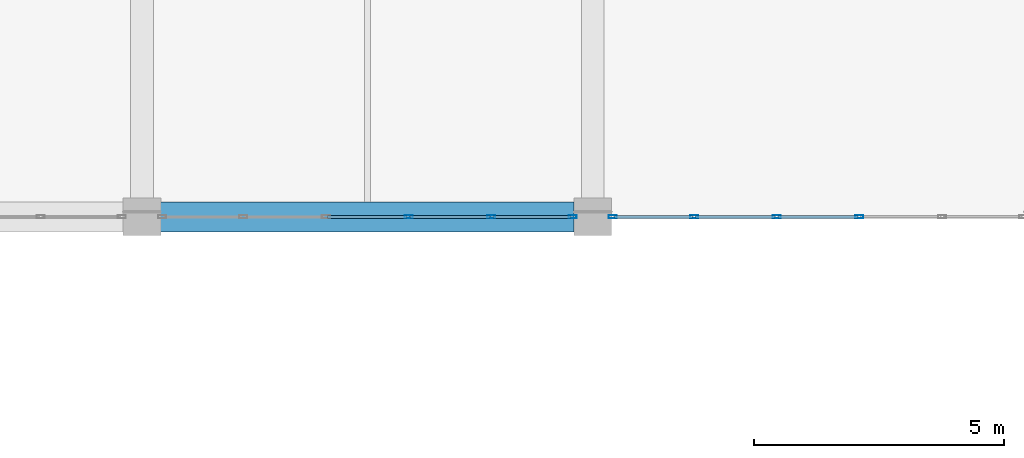
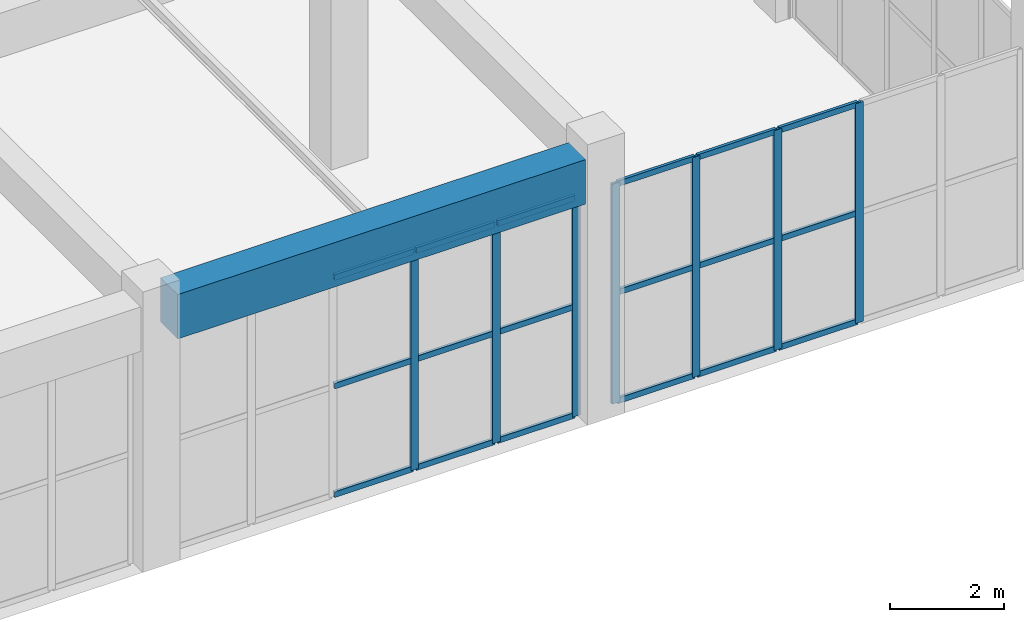
# One storey, part 101 of 223: 25 members, 1 beam, 2 elements without a shape of their own.
"""IFC4 building model written with IfcOpenShell, lengths in metres."""

from ifc_helpers import new_model, si_unit, direction, frame, origin, origin_2d, place, context, subcontext, project, spatial, rectangle, hollow_rectangle, extrude, material, layer, layer_set, material_profile, profile_set, type_object, element, aggregate, save


model = new_model("IFC4")

# Units and contexts
model_context = context("Model", 3, precision=1e-05, world=origin(), true_north=direction((0.0, 1.0)))
body_context = subcontext(model_context, "Body", "Model", "MODEL_VIEW")
ifc_project = project(units=[si_unit("LENGTHUNIT", "METRE"), si_unit("AREAUNIT", "SQUARE_METRE"), si_unit("VOLUMEUNIT", "CUBIC_METRE"), si_unit("PLANEANGLEUNIT", "RADIAN"), si_unit("MASSUNIT", "GRAM", prefix="KILO")], contexts=[model_context])

# Site, building, storey
site_placement = place(None, origin())
site = spatial("IfcSite", under=ifc_project, at=site_placement, CompositionType="ELEMENT")
building_placement = place(site_placement, origin())
building = spatial("IfcBuilding", under=site, at=building_placement, Name="Dornveld Trade and Exhibition Forum", CompositionType="ELEMENT")
storey_placement = place(building_placement, frame((0.0, 0.0, 6.0)))
storey = spatial("IfcBuildingStorey", under=building, at=storey_placement, Name="L01", CompositionType="ELEMENT", Elevation=6.0)

# Beam
ifc_material_1 = material(Name="Precast concrete C50/60", Category="concrete")
ifc_material_profile_1 = material_profile(ifc_material_1, rectangle(XDim=0.60009765625, YDim=0.949951171875, at=origin_2d()), Name="PC-GIR 600x950")
ifc_profile_set_1 = profile_set([ifc_material_profile_1], Name="Precast concrete C50/60")
beam_type = type_object("IfcBeamType", Name="BM-PC-600x950", PredefinedType="T_BEAM", material=ifc_profile_set_1)
beam_placement = place(storey_placement, frame((198.37109375, 108.0, 5.1650390625), z_axis=(1.0, 0.0, 0.0), x_axis=(0.0, 1.0, 0.0)))
element("IfcBeam", 1, at=beam_placement, inside=storey, type_object=beam_type, Name="L01 X-girder 1337", PredefinedType="T_BEAM", context=body_context, shape_type="SweptSolid", body=[
    extrude(rectangle(XDim=0.60009765625, YDim=0.949951171875, at=origin_2d()), origin(), (0.0, 0.0, 1.0), 8.2578125),
])

# Curtain wall, members
ifc_material_2 = material(Name="Dark-bronze anodised aluminium and low-E glass", Category="aluminium")
ifc_layer_1 = layer(ifc_material_2, 0.193115234375)
ifc_layer_set_1 = layer_set([ifc_layer_1], Name="Dark-bronze anodised aluminium and low-E glass")
curtain_wall_type_1 = type_object("IfcCurtainWallType", Name="CW-SYS-17", PredefinedType="USERDEFINED", material=ifc_layer_set_1)
curtain_wall_1_placement = place(storey_placement, origin())
curtain_wall_1 = element("IfcCurtainWall", 2, at=curtain_wall_1_placement, inside=storey, type_object=curtain_wall_type_1, Name="L01 unitised curtain wall 107", ObjectType="UNITISED_CURTAIN_WALL", PredefinedType="USERDEFINED")
ifc_material_3 = material(Name="Dark-bronze anodised aluminium", Category="aluminium")
ifc_material_profile_2 = material_profile(ifc_material_3, hollow_rectangle(XDim=0.06005859375, YDim=0.159912109375, WallThickness=0.00390625, at=origin_2d()), Name="RHS 160x60x4")
ifc_profile_set_2 = profile_set([ifc_material_profile_2], Name="Dark-bronze anodised aluminium")
member_type_1 = type_object("IfcMemberType", Name="CW-MUL-160", PredefinedType="MULLION", material=ifc_profile_set_2)
member_1_placement = place(storey_placement, frame((203.32568359375, 108.0, -0.00390625), z_axis=(0.0, 0.0, 1.0), x_axis=(0.0, 1.0, 0.0)))
member_1 = element("IfcMember", 3, at=member_1_placement, type_object=member_type_1, Name="CW-17 mullion 4", PredefinedType="MULLION", context=body_context, shape_type="SweptSolid", body=[
    extrude(hollow_rectangle(XDim=0.06005859375, YDim=0.159912109375, WallThickness=0.00390625, at=origin_2d()), origin(), (0.0, 0.0, 1.0), 4.703857421875),
])
member_2_placement = place(storey_placement, frame((204.977294921875, 108.0, -0.00390625), z_axis=(0.0, 0.0, 1.0), x_axis=(0.0, 1.0, 0.0)))
member_2 = element("IfcMember", 4, at=member_2_placement, type_object=member_type_1, Name="CW-17 mullion 5", PredefinedType="MULLION", context=body_context, shape_type="SweptSolid", body=[
    extrude(hollow_rectangle(XDim=0.06005859375, YDim=0.159912109375, WallThickness=0.00390625, at=origin_2d()), origin(), (0.0, 0.0, 1.0), 4.703857421875),
])
member_3_placement = place(storey_placement, frame((206.59912109375, 108.0, -0.00390625), z_axis=(0.0, 0.0, 1.0), x_axis=(0.0, 1.0, 0.0)))
member_3 = element("IfcMember", 5, at=member_3_placement, type_object=member_type_1, Name="CW-17 mullion 6", PredefinedType="MULLION", context=body_context, shape_type="SweptSolid", body=[
    extrude(hollow_rectangle(XDim=0.06005859375, YDim=0.159912109375, WallThickness=0.00390625, at=origin_2d()), origin(), (0.0, 0.0, 1.0), 4.703857421875),
])

ifc_material_4 = material(Name="Dark-bronze anodised aluminium and low-E glass", Category="aluminium")
ifc_layer_2 = layer(ifc_material_4, 0.196044921875)
ifc_layer_set_2 = layer_set([ifc_layer_2], Name="Dark-bronze anodised aluminium and low-E glass")
curtain_wall_type_2 = type_object("IfcCurtainWallType", Name="CW-SYS-18", PredefinedType="USERDEFINED", material=ifc_layer_set_2)
curtain_wall_2_placement = place(storey_placement, origin())
curtain_wall_2 = element("IfcCurtainWall", 6, at=curtain_wall_2_placement, inside=storey, type_object=curtain_wall_type_2, Name="L01 unitised curtain wall 108", ObjectType="UNITISED_CURTAIN_WALL", PredefinedType="USERDEFINED")
member_4_placement = place(storey_placement, frame((207.40087890625, 108.0, -0.00390625), z_axis=(0.0, 0.0, 1.0), x_axis=(0.0, 1.0, 0.0)))
member_4 = element("IfcMember", 7, at=member_4_placement, type_object=member_type_1, Name="CW-18 mullion 1", PredefinedType="MULLION", context=body_context, shape_type="SweptSolid", body=[
    extrude(hollow_rectangle(XDim=0.06005859375, YDim=0.159912109375, WallThickness=0.00390625, at=origin_2d()), origin(), (0.0, 0.0, 1.0), 4.703857421875),
])
member_5_placement = place(storey_placement, frame((209.022705078125, 108.0, -0.00390625), z_axis=(0.0, 0.0, 1.0), x_axis=(0.0, 1.0, 0.0)))
member_5 = element("IfcMember", 8, at=member_5_placement, type_object=member_type_1, Name="CW-18 mullion 2", PredefinedType="MULLION", context=body_context, shape_type="SweptSolid", body=[
    extrude(hollow_rectangle(XDim=0.06005859375, YDim=0.159912109375, WallThickness=0.00390625, at=origin_2d()), origin(), (0.0, 0.0, 1.0), 4.703857421875),
])
member_6_placement = place(storey_placement, frame((210.67431640625, 108.0, -0.00390625), z_axis=(0.0, 0.0, 1.0), x_axis=(0.0, 1.0, 0.0)))
member_6 = element("IfcMember", 9, at=member_6_placement, type_object=member_type_1, Name="CW-18 mullion 3", PredefinedType="MULLION", context=body_context, shape_type="SweptSolid", body=[
    extrude(hollow_rectangle(XDim=0.06005859375, YDim=0.159912109375, WallThickness=0.00390625, at=origin_2d()), origin(), (0.0, 0.0, 1.0), 4.703857421875),
])
member_7_placement = place(storey_placement, frame((212.32568359375, 108.0, -0.00390625), z_axis=(0.0, 0.0, 1.0), x_axis=(0.0, 1.0, 0.0)))
member_7 = element("IfcMember", 10, at=member_7_placement, type_object=member_type_1, Name="CW-18 mullion 4", PredefinedType="MULLION", context=body_context, shape_type="SweptSolid", body=[
    extrude(hollow_rectangle(XDim=0.06005859375, YDim=0.159912109375, WallThickness=0.00390625, at=origin_2d()), origin(), (0.0, 0.0, 1.0), 4.703857421875),
])

# Member
ifc_material_5 = material(Name="Dark-bronze anodised aluminium", Category="aluminium")
ifc_material_profile_3 = material_profile(ifc_material_5, hollow_rectangle(XDim=0.06005859375, YDim=0.1201171875, WallThickness=0.00390625, at=origin_2d()), Name="RHS 120x60x4")
ifc_profile_set_3 = profile_set([ifc_material_profile_3], Name="Dark-bronze anodised aluminium")
member_type_2 = type_object("IfcMemberType", Name="CW-TRN-120", PredefinedType="USERDEFINED", material=ifc_profile_set_3)
member_8_placement = place(storey_placement, frame((201.7041015625, 108.0, 0.02587890625), z_axis=(1.0, 0.0, 0.0), x_axis=(0.0, 1.0, 0.0)))
member_8 = element("IfcMember", 11, at=member_8_placement, type_object=member_type_2, Name="CW-17 transom 3.1", ObjectType="TRANSOM", PredefinedType="USERDEFINED", context=body_context, shape_type="SweptSolid", body=[
    extrude(hollow_rectangle(XDim=0.06005859375, YDim=0.1201171875, WallThickness=0.00390625, at=origin_2d()), origin(), (0.0, 0.0, 1.0), 1.591796875),
])

member_9_placement = place(storey_placement, frame((201.7041015625, 108.0, 2.347900390625), z_axis=(1.0, 0.0, 0.0), x_axis=(0.0, 1.0, 0.0)))
member_9 = element("IfcMember", 12, at=member_9_placement, type_object=member_type_2, Name="CW-17 transom 3.2", ObjectType="TRANSOM", PredefinedType="USERDEFINED", context=body_context, shape_type="SweptSolid", body=[
    extrude(hollow_rectangle(XDim=0.06005859375, YDim=0.1201171875, WallThickness=0.00390625, at=origin_2d()), origin(), (0.0, 0.0, 1.0), 1.591796875),
])

member_10_placement = place(storey_placement, frame((201.7041015625, 108.0, 4.669921875), z_axis=(1.0, 0.0, 0.0), x_axis=(0.0, 1.0, 0.0)))
member_10 = element("IfcMember", 13, at=member_10_placement, type_object=member_type_2, Name="CW-17 transom 3.3", ObjectType="TRANSOM", PredefinedType="USERDEFINED", context=body_context, shape_type="SweptSolid", body=[
    extrude(hollow_rectangle(XDim=0.06005859375, YDim=0.1201171875, WallThickness=0.00390625, at=origin_2d()), origin(), (0.0, 0.0, 1.0), 1.591796875),
])

member_11_placement = place(storey_placement, frame((203.355712890625, 108.0, 0.02587890625), z_axis=(1.0, 0.0, 0.0), x_axis=(0.0, 1.0, 0.0)))
member_11 = element("IfcMember", 14, at=member_11_placement, type_object=member_type_2, Name="CW-17 transom 4.1", ObjectType="TRANSOM", PredefinedType="USERDEFINED", context=body_context, shape_type="SweptSolid", body=[
    extrude(hollow_rectangle(XDim=0.06005859375, YDim=0.1201171875, WallThickness=0.00390625, at=origin_2d()), origin(), (0.0, 0.0, 1.0), 1.591796875),
])

member_12_placement = place(storey_placement, frame((203.355712890625, 108.0, 2.347900390625), z_axis=(1.0, 0.0, 0.0), x_axis=(0.0, 1.0, 0.0)))
member_12 = element("IfcMember", 15, at=member_12_placement, type_object=member_type_2, Name="CW-17 transom 4.2", ObjectType="TRANSOM", PredefinedType="USERDEFINED", context=body_context, shape_type="SweptSolid", body=[
    extrude(hollow_rectangle(XDim=0.06005859375, YDim=0.1201171875, WallThickness=0.00390625, at=origin_2d()), origin(), (0.0, 0.0, 1.0), 1.591796875),
])

member_13_placement = place(storey_placement, frame((203.355712890625, 108.0, 4.669921875), z_axis=(1.0, 0.0, 0.0), x_axis=(0.0, 1.0, 0.0)))
member_13 = element("IfcMember", 16, at=member_13_placement, type_object=member_type_2, Name="CW-17 transom 4.3", ObjectType="TRANSOM", PredefinedType="USERDEFINED", context=body_context, shape_type="SweptSolid", body=[
    extrude(hollow_rectangle(XDim=0.06005859375, YDim=0.1201171875, WallThickness=0.00390625, at=origin_2d()), origin(), (0.0, 0.0, 1.0), 1.591796875),
])

member_14_placement = place(storey_placement, frame((205.00732421875, 108.0, 0.02587890625), z_axis=(1.0, 0.0, 0.0), x_axis=(0.0, 1.0, 0.0)))
member_14 = element("IfcMember", 17, at=member_14_placement, type_object=member_type_2, Name="CW-17 transom 5.1", ObjectType="TRANSOM", PredefinedType="USERDEFINED", context=body_context, shape_type="SweptSolid", body=[
    extrude(hollow_rectangle(XDim=0.06005859375, YDim=0.1201171875, WallThickness=0.00390625, at=origin_2d()), origin(), (0.0, 0.0, 1.0), 1.561767578125),
])

member_15_placement = place(storey_placement, frame((205.00732421875, 108.0, 2.347900390625), z_axis=(1.0, 0.0, 0.0), x_axis=(0.0, 1.0, 0.0)))
member_15 = element("IfcMember", 18, at=member_15_placement, type_object=member_type_2, Name="CW-17 transom 5.2", ObjectType="TRANSOM", PredefinedType="USERDEFINED", context=body_context, shape_type="SweptSolid", body=[
    extrude(hollow_rectangle(XDim=0.06005859375, YDim=0.1201171875, WallThickness=0.00390625, at=origin_2d()), origin(), (0.0, 0.0, 1.0), 1.561767578125),
])

member_16_placement = place(storey_placement, frame((205.00732421875, 108.0, 4.669921875), z_axis=(1.0, 0.0, 0.0), x_axis=(0.0, 1.0, 0.0)))
member_16 = element("IfcMember", 19, at=member_16_placement, type_object=member_type_2, Name="CW-17 transom 5.3", ObjectType="TRANSOM", PredefinedType="USERDEFINED", context=body_context, shape_type="SweptSolid", body=[
    extrude(hollow_rectangle(XDim=0.06005859375, YDim=0.1201171875, WallThickness=0.00390625, at=origin_2d()), origin(), (0.0, 0.0, 1.0), 1.561767578125),
])

aggregate(curtain_wall_1, [member_1, member_2, member_3, member_8, member_9, member_10, member_11, member_12, member_13, member_14, member_15, member_16])

member_17_placement = place(storey_placement, frame((207.430908203125, 108.0, 0.02587890625), z_axis=(1.0, 0.0, 0.0), x_axis=(0.0, 1.0, 0.0)))
member_17 = element("IfcMember", 20, at=member_17_placement, type_object=member_type_2, Name="CW-18 transom 1.1", ObjectType="TRANSOM", PredefinedType="USERDEFINED", context=body_context, shape_type="SweptSolid", body=[
    extrude(hollow_rectangle(XDim=0.06005859375, YDim=0.1201171875, WallThickness=0.00390625, at=origin_2d()), origin(), (0.0, 0.0, 1.0), 1.561767578125),
])

member_18_placement = place(storey_placement, frame((207.430908203125, 108.0, 2.347900390625), z_axis=(1.0, 0.0, 0.0), x_axis=(0.0, 1.0, 0.0)))
member_18 = element("IfcMember", 21, at=member_18_placement, type_object=member_type_2, Name="CW-18 transom 1.2", ObjectType="TRANSOM", PredefinedType="USERDEFINED", context=body_context, shape_type="SweptSolid", body=[
    extrude(hollow_rectangle(XDim=0.06005859375, YDim=0.1201171875, WallThickness=0.00390625, at=origin_2d()), origin(), (0.0, 0.0, 1.0), 1.561767578125),
])

member_19_placement = place(storey_placement, frame((207.430908203125, 108.0, 4.669921875), z_axis=(1.0, 0.0, 0.0), x_axis=(0.0, 1.0, 0.0)))
member_19 = element("IfcMember", 22, at=member_19_placement, type_object=member_type_2, Name="CW-18 transom 1.3", ObjectType="TRANSOM", PredefinedType="USERDEFINED", context=body_context, shape_type="SweptSolid", body=[
    extrude(hollow_rectangle(XDim=0.06005859375, YDim=0.1201171875, WallThickness=0.00390625, at=origin_2d()), origin(), (0.0, 0.0, 1.0), 1.561767578125),
])

member_20_placement = place(storey_placement, frame((209.052490234375, 108.0, 0.02587890625), z_axis=(1.0, 0.0, 0.0), x_axis=(0.0, 1.0, 0.0)))
member_20 = element("IfcMember", 23, at=member_20_placement, type_object=member_type_2, Name="CW-18 transom 2.1", ObjectType="TRANSOM", PredefinedType="USERDEFINED", context=body_context, shape_type="SweptSolid", body=[
    extrude(hollow_rectangle(XDim=0.06005859375, YDim=0.1201171875, WallThickness=0.00390625, at=origin_2d()), origin(), (0.0, 0.0, 1.0), 1.591796875),
])

member_21_placement = place(storey_placement, frame((209.052490234375, 108.0, 2.347900390625), z_axis=(1.0, 0.0, 0.0), x_axis=(0.0, 1.0, 0.0)))
member_21 = element("IfcMember", 24, at=member_21_placement, type_object=member_type_2, Name="CW-18 transom 2.2", ObjectType="TRANSOM", PredefinedType="USERDEFINED", context=body_context, shape_type="SweptSolid", body=[
    extrude(hollow_rectangle(XDim=0.06005859375, YDim=0.1201171875, WallThickness=0.00390625, at=origin_2d()), origin(), (0.0, 0.0, 1.0), 1.591796875),
])

member_22_placement = place(storey_placement, frame((209.052490234375, 108.0, 4.669921875), z_axis=(1.0, 0.0, 0.0), x_axis=(0.0, 1.0, 0.0)))
member_22 = element("IfcMember", 25, at=member_22_placement, type_object=member_type_2, Name="CW-18 transom 2.3", ObjectType="TRANSOM", PredefinedType="USERDEFINED", context=body_context, shape_type="SweptSolid", body=[
    extrude(hollow_rectangle(XDim=0.06005859375, YDim=0.1201171875, WallThickness=0.00390625, at=origin_2d()), origin(), (0.0, 0.0, 1.0), 1.591796875),
])

member_23_placement = place(storey_placement, frame((210.7041015625, 108.0, 0.02587890625), z_axis=(1.0, 0.0, 0.0), x_axis=(0.0, 1.0, 0.0)))
member_23 = element("IfcMember", 26, at=member_23_placement, type_object=member_type_2, Name="CW-18 transom 3.1", ObjectType="TRANSOM", PredefinedType="USERDEFINED", context=body_context, shape_type="SweptSolid", body=[
    extrude(hollow_rectangle(XDim=0.06005859375, YDim=0.1201171875, WallThickness=0.00390625, at=origin_2d()), origin(), (0.0, 0.0, 1.0), 1.591796875),
])

member_24_placement = place(storey_placement, frame((210.7041015625, 108.0, 2.347900390625), z_axis=(1.0, 0.0, 0.0), x_axis=(0.0, 1.0, 0.0)))
member_24 = element("IfcMember", 27, at=member_24_placement, type_object=member_type_2, Name="CW-18 transom 3.2", ObjectType="TRANSOM", PredefinedType="USERDEFINED", context=body_context, shape_type="SweptSolid", body=[
    extrude(hollow_rectangle(XDim=0.06005859375, YDim=0.1201171875, WallThickness=0.00390625, at=origin_2d()), origin(), (0.0, 0.0, 1.0), 1.591796875),
])

member_25_placement = place(storey_placement, frame((210.7041015625, 108.0, 4.669921875), z_axis=(1.0, 0.0, 0.0), x_axis=(0.0, 1.0, 0.0)))
member_25 = element("IfcMember", 28, at=member_25_placement, type_object=member_type_2, Name="CW-18 transom 3.3", ObjectType="TRANSOM", PredefinedType="USERDEFINED", context=body_context, shape_type="SweptSolid", body=[
    extrude(hollow_rectangle(XDim=0.06005859375, YDim=0.1201171875, WallThickness=0.00390625, at=origin_2d()), origin(), (0.0, 0.0, 1.0), 1.591796875),
])

aggregate(curtain_wall_2, [member_4, member_5, member_6, member_7, member_17, member_18, member_19, member_20, member_21, member_22, member_23, member_24, member_25])

save(model, "model.ifc")
